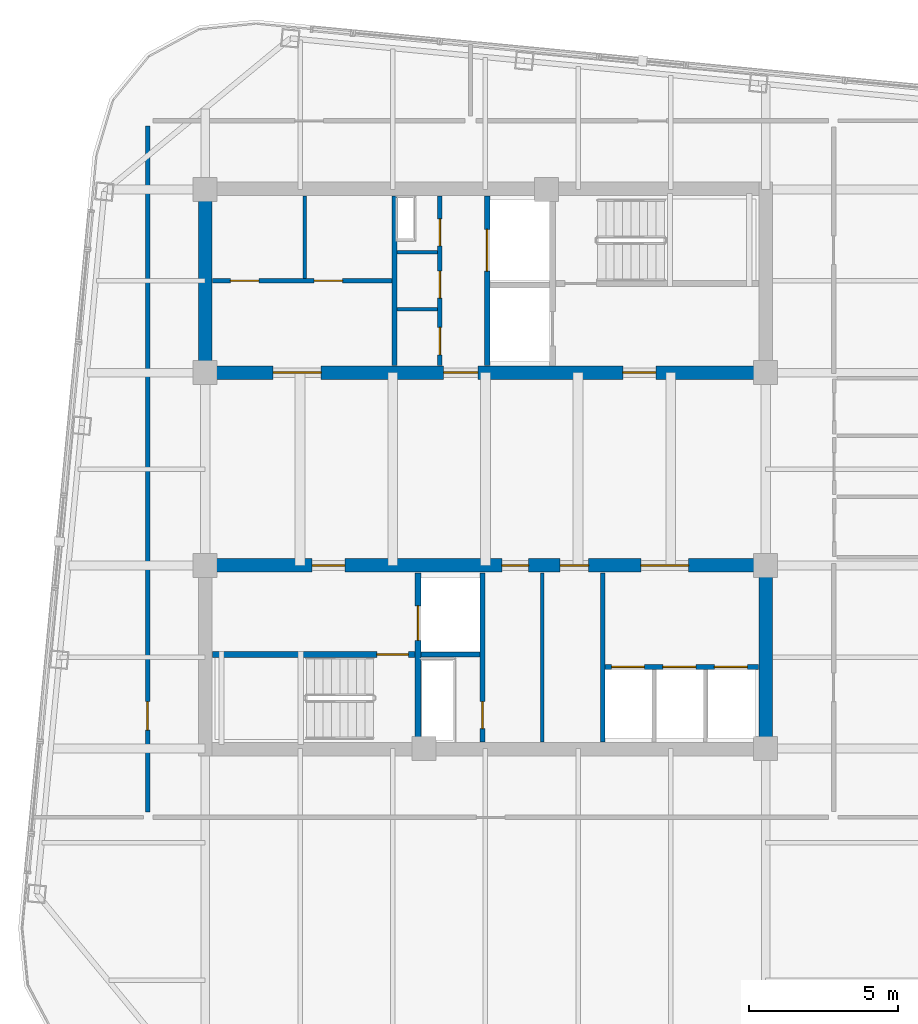
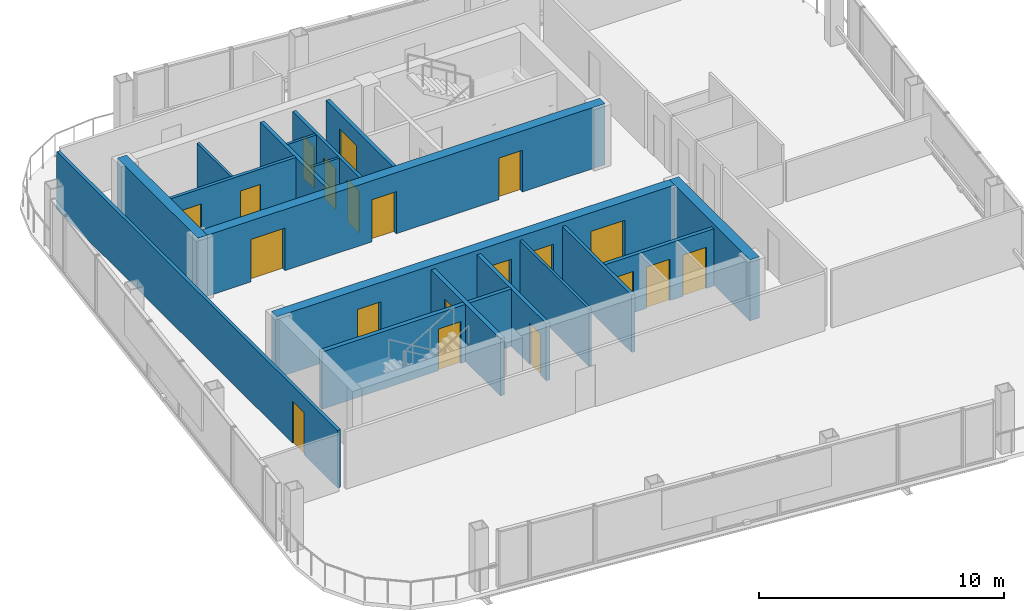
# One storey, part 21 of 26: 20 doors, 19 walls, 20 openings.
"""IFC4 building model written with IfcOpenShell, lengths in metres."""

from ifc_helpers import new_model, si_unit, direction, frame, frame_2d, origin, place, context, subcontext, project, spatial, rectangle, extrude, material, layer, layer_set, type_object, element, fill, save


model = new_model("IFC4")

# Units and contexts
model_context = context("Model", 3, precision=1e-05, world=origin(), true_north=direction((0.0, 1.0)))
body_context = subcontext(model_context, "Body", "Model", "MODEL_VIEW")
ifc_project = project(units=[si_unit("LENGTHUNIT", "METRE"), si_unit("AREAUNIT", "SQUARE_METRE"), si_unit("VOLUMEUNIT", "CUBIC_METRE"), si_unit("PLANEANGLEUNIT", "RADIAN"), si_unit("MASSUNIT", "GRAM", prefix="KILO")], contexts=[model_context])

# Site, building, storey
site_placement = place(None, origin())
site = spatial("IfcSite", under=ifc_project, at=site_placement, CompositionType="ELEMENT")
building_placement = place(site_placement, origin())
building = spatial("IfcBuilding", under=site, at=building_placement, Name="Qhalaya Broadcast Tower", CompositionType="ELEMENT")
storey_placement = place(building_placement, frame((0.0, 0.0, 248.949951171875)))
storey = spatial("IfcBuildingStorey", under=building, at=storey_placement, Name="L73", CompositionType="ELEMENT", Elevation=248.949951171875)

# Wall, openings, doors
ifc_material_1 = material(Name="Gypsum Acoustic Partition")
ifc_layer_1 = layer(ifc_material_1, 0.14990234375, Name="Gypsum Acoustic Partition")
ifc_layer_set_1 = layer_set([ifc_layer_1], Name="Gypsum Acoustic Partition")
wall_type_1 = type_object("IfcWallType", Name="Corridor & Tenancy Acoustic Partition 150", PredefinedType="PARTITIONING", material=ifc_layer_set_1)
wall_1_placement = place(storey_placement, frame((-1.52001953125, 4.070068359375, 0.0), z_axis=(0.0, 0.0, 1.0), x_axis=(0.0, 1.0, 0.0)))
wall_1 = element("IfcWall", 1, at=wall_1_placement, inside=storey, type_object=wall_type_1, Name="L73 Partition Wall NCW-SVL", PredefinedType="PARTITIONING", context=body_context, shape_type="SweptSolid", body=[
    extrude(rectangle(XDim=5.659912109375, YDim=0.14990234375, at=frame_2d((2.830078125, 0.0))), origin(), (0.0, 0.0, 1.0), 2.860107421875),
])
opening_1_placement = place(wall_1_placement, frame((4.0, 0.0, 0.0)))
opening_1 = element("IfcOpeningElement", 2, at=opening_1_placement, cuts=wall_1, Name="Opening D06", PredefinedType="OPENING", context=body_context, shape_type="SweptSolid", body=[
    extrude(rectangle(XDim=0.89990234375, YDim=2.050048828125, at=frame_2d((0.449951171875, 1.02490234375))), frame((0.0, 0.0869140625, 0.0), z_axis=(0.0, -1.0, 0.0), x_axis=(1.0, 0.0, 0.0)), (0.0, 0.0, 1.0), 0.173828125),
])
opening_2_placement = place(wall_1_placement, frame((2.25, 0.0, 0.0)))
opening_2 = element("IfcOpeningElement", 3, at=opening_2_placement, cuts=wall_1, Name="Opening D06", PredefinedType="OPENING", context=body_context, shape_type="SweptSolid", body=[
    extrude(rectangle(XDim=0.89990234375, YDim=2.050048828125, at=frame_2d((0.449951171875, 1.02490234375))), frame((0.0, 0.0869140625, 0.0), z_axis=(0.0, -1.0, 0.0), x_axis=(1.0, 0.0, 0.0)), (0.0, 0.0, 1.0), 0.173828125),
])
opening_3_placement = place(wall_1_placement, frame((0.35009765625, 0.0, 0.0)))
opening_3 = element("IfcOpeningElement", 4, at=opening_3_placement, cuts=wall_1, Name="Opening D12", PredefinedType="OPENING", context=body_context, shape_type="SweptSolid", body=[
    extrude(rectangle(XDim=0.919921875, YDim=2.10009765625, at=frame_2d((0.4599609375, 1.050048828125))), frame((0.0, 0.0869140625, 0.0), z_axis=(0.0, -1.0, 0.0), x_axis=(1.0, 0.0, 0.0)), (0.0, 0.0, 1.0), 0.173828125),
])
ifc_material_2 = material(Name="Timber Veneer Acoustic Door", Category="wood")
door_type_1 = type_object("IfcDoorType", Name="Accessible WC & Restroom Door D12", OperationType="NOTDEFINED", PredefinedType="DOOR", material=ifc_material_2)
door_1_placement = place(opening_3_placement, origin())
door_1 = element("IfcDoor", 5, at=door_1_placement, inside=storey, type_object=door_type_1, Name="L73 Door D-NCWC", OperationType="SINGLE_SWING_RIGHT", OverallHeight=2.10009765625, OverallWidth=0.919921875, PredefinedType="DOOR", context=body_context, shape_type="SweptSolid", body=[
    extrude(rectangle(XDim=0.919921875, YDim=2.10009765625, at=frame_2d((0.4599609375, 1.050048828125))), frame((0.0, 0.02490234375, 0.0), z_axis=(0.0, -1.0, 0.0), x_axis=(1.0, 0.0, 0.0)), (0.0, 0.0, 1.0), 0.050048828125),
])
fill(opening_3, door_1)
ifc_material_3 = material(Name="Fire-Rated Steel Door", Category="steel")
door_type_2 = type_object("IfcDoorType", Name="Riser & Electrical Shaft Access Door D06", OperationType="NOTDEFINED", PredefinedType="DOOR", material=ifc_material_3)
door_2_placement = place(opening_1_placement, origin())
door_2 = element("IfcDoor", 6, at=door_2_placement, inside=storey, type_object=door_type_2, Name="L73 Riser Shaft Access Door D-NRSR", OperationType="SINGLE_SWING_RIGHT", OverallHeight=2.050048828125, OverallWidth=0.89990234375, PredefinedType="DOOR", context=body_context, shape_type="SweptSolid", body=[
    extrude(rectangle(XDim=0.89990234375, YDim=2.050048828125, at=frame_2d((0.449951171875, 1.02490234375))), frame((0.0, 0.02490234375, 0.0), z_axis=(0.0, -1.0, 0.0), x_axis=(1.0, 0.0, 0.0)), (0.0, 0.0, 1.0), 0.050048828125),
])
fill(opening_1, door_2)
door_3_placement = place(opening_2_placement, origin())
door_3 = element("IfcDoor", 7, at=door_3_placement, inside=storey, type_object=door_type_2, Name="L73 Door D-NITR", OperationType="SINGLE_SWING_LEFT", OverallHeight=2.050048828125, OverallWidth=0.89990234375, PredefinedType="DOOR", context=body_context, shape_type="SweptSolid", body=[
    extrude(rectangle(XDim=0.89990234375, YDim=2.050048828125, at=frame_2d((0.449951171875, 1.02490234375))), frame((0.0, 0.02490234375, 0.0), z_axis=(0.0, -1.0, 0.0), x_axis=(1.0, 0.0, 0.0)), (0.0, 0.0, 1.0), 0.050048828125),
])
fill(opening_2, door_3)

wall_2_placement = place(storey_placement, frame((-9.1298828125, 6.89990234375, 0.0), z_axis=(0.0, 0.0, 1.0), x_axis=(1.0, 0.0, 0.0)))
wall_2 = element("IfcWall", 8, at=wall_2_placement, inside=storey, type_object=wall_type_1, Name="L73 Partition Wall NCW-REC1", PredefinedType="PARTITIONING", context=body_context, shape_type="SweptSolid", body=[
    extrude(rectangle(XDim=6.009765625, YDim=0.14990234375, at=frame_2d((3.0048828125, 0.0))), origin(), (0.0, 0.0, 1.0), 2.860107421875),
])
opening_4_placement = place(wall_2_placement, frame((0.60009765625, 0.0, 0.0)))
opening_4 = element("IfcOpeningElement", 9, at=opening_4_placement, cuts=wall_2, Name="Opening D10", PredefinedType="OPENING", context=body_context, shape_type="SweptSolid", body=[
    extrude(rectangle(XDim=0.949951171875, YDim=2.10009765625, at=frame_2d((0.47509765625, 1.050048828125))), frame((0.0, 0.0869140625, 0.0), z_axis=(0.0, -1.0, 0.0), x_axis=(1.0, 0.0, 0.0)), (0.0, 0.0, 1.0), 0.173828125),
])
opening_5_placement = place(wall_2_placement, frame((3.39990234375, 0.0, 0.0)))
opening_5 = element("IfcOpeningElement", 10, at=opening_5_placement, cuts=wall_2, Name="Opening D10", PredefinedType="OPENING", context=body_context, shape_type="SweptSolid", body=[
    extrude(rectangle(XDim=0.949951171875, YDim=2.10009765625, at=frame_2d((0.47509765625, 1.050048828125))), frame((0.0, 0.0869140625, 0.0), z_axis=(0.0, -1.0, 0.0), x_axis=(1.0, 0.0, 0.0)), (0.0, 0.0, 1.0), 0.173828125),
])
door_type_3 = type_object("IfcDoorType", Name="Cellular Office & Edit Booth Door D10", OperationType="NOTDEFINED", PredefinedType="DOOR", material=ifc_material_2)
door_4_placement = place(opening_4_placement, origin())
door_4 = element("IfcDoor", 11, at=door_4_placement, inside=storey, type_object=door_type_3, Name="L73 Door D-NREC1", OperationType="SINGLE_SWING_LEFT", OverallHeight=2.10009765625, OverallWidth=0.949951171875, PredefinedType="DOOR", context=body_context, shape_type="SweptSolid", body=[
    extrude(rectangle(XDim=0.949951171875, YDim=2.10009765625, at=frame_2d((0.47509765625, 1.050048828125))), frame((0.0, 0.02490234375, 0.0), z_axis=(0.0, -1.0, 0.0), x_axis=(1.0, 0.0, 0.0)), (0.0, 0.0, 1.0), 0.050048828125),
])
fill(opening_4, door_4)
door_5_placement = place(opening_5_placement, origin())
door_5 = element("IfcDoor", 12, at=door_5_placement, inside=storey, type_object=door_type_3, Name="L73 Door D-NREC2", OperationType="SINGLE_SWING_RIGHT", OverallHeight=2.10009765625, OverallWidth=0.949951171875, PredefinedType="DOOR", context=body_context, shape_type="SweptSolid", body=[
    extrude(rectangle(XDim=0.949951171875, YDim=2.10009765625, at=frame_2d((0.47509765625, 1.050048828125))), frame((0.0, 0.02490234375, 0.0), z_axis=(0.0, -1.0, 0.0), x_axis=(1.0, 0.0, 0.0)), (0.0, 0.0, 1.0), 0.050048828125),
])
fill(opening_5, door_5)

# Wall
wall_3_placement = place(storey_placement, frame((3.919921875, -8.530029296875, 0.0), z_axis=(0.0, 0.0, 1.0), x_axis=(0.0, 1.0, 0.0)))
element("IfcWall", 13, at=wall_3_placement, inside=storey, type_object=wall_type_1, Name="L73 Partition Wall SCW-HSEP", PredefinedType="PARTITIONING", context=body_context, shape_type="SweptSolid", body=[
    extrude(rectangle(XDim=5.659912109375, YDim=0.14990234375, at=frame_2d((2.830078125, 0.0))), origin(), (0.0, 0.0, 1.0), 2.860107421875),
])

# Wall, opening, door
wall_4_placement = place(storey_placement, frame((-11.300048828125, 12.070068359375, 0.0), z_axis=(0.0, 0.0, 1.0), x_axis=(0.0, -1.0, 0.0)))
wall_4 = element("IfcWall", 14, at=wall_4_placement, inside=storey, type_object=wall_type_1, Name="L73 Partition Wall W-COR-04", PredefinedType="PARTITIONING", context=body_context, shape_type="SweptSolid", body=[
    extrude(rectangle(XDim=22.940185546875, YDim=0.14990234375, at=frame_2d((11.47021484375, 0.0))), origin(), (0.0, 0.0, 1.0), 2.860107421875),
])
opening_6_placement = place(wall_4_placement, frame((19.2529296875, 0.0, 0.0)))
opening_6 = element("IfcOpeningElement", 15, at=opening_6_placement, cuts=wall_4, Name="Opening D10", PredefinedType="OPENING", context=body_context, shape_type="SweptSolid", body=[
    extrude(rectangle(XDim=0.949951171875, YDim=2.10009765625, at=frame_2d((0.47509765625, 1.050048828125))), frame((0.0, 0.0869140625, 0.0), z_axis=(0.0, -1.0, 0.0), x_axis=(1.0, 0.0, 0.0)), (0.0, 0.0, 1.0), 0.173828125),
])
door_6_placement = place(opening_6_placement, origin())
door_6 = element("IfcDoor", 16, at=door_6_placement, inside=storey, type_object=door_type_3, Name="L73 Door D-RM04", OperationType="SINGLE_SWING_RIGHT", OverallHeight=2.10009765625, OverallWidth=0.949951171875, PredefinedType="DOOR", context=body_context, shape_type="SweptSolid", body=[
    extrude(rectangle(XDim=0.949951171875, YDim=2.10009765625, at=frame_2d((0.47509765625, 1.050048828125))), frame((0.0, 0.02490234375, 0.0), z_axis=(0.0, -1.0, 0.0), x_axis=(1.0, 0.0, 0.0)), (0.0, 0.0, 1.0), 0.050048828125),
])
fill(opening_6, door_6)

ifc_material_4 = material(Name="Concrete C50/60", Category="concrete")
ifc_layer_2 = layer(ifc_material_4, 0.199951171875, Name="Concrete C50/60")
ifc_layer_set_2 = layer_set([ifc_layer_2], Name="Concrete C50/60")
wall_type_2 = type_object("IfcWallType", Name="Load-Bearing Stair Shaft Wall 200", PredefinedType="SHEAR", material=ifc_layer_set_2)
wall_5_placement = place(storey_placement, frame((-9.1298828125, -5.60498046875, 0.0), z_axis=(0.0, 0.0, 1.0), x_axis=(1.0, 0.0, 0.0)))
wall_5 = element("IfcWall", 17, at=wall_5_placement, inside=storey, type_object=wall_type_2, Name="L73 Stair Core Shear Wall SCW-ST2", PredefinedType="SHEAR", context=body_context, shape_type="SweptSolid", body=[
    extrude(rectangle(XDim=6.769775390625, YDim=0.199951171875, at=frame_2d((3.384765625, 0.0))), origin(), (0.0, 0.0, 1.0), 2.860107421875),
])
opening_7_placement = place(wall_5_placement, frame((5.5, 0.0, 0.0)))
opening_7 = element("IfcOpeningElement", 18, at=opening_7_placement, cuts=wall_5, Name="Opening D03", PredefinedType="OPENING", context=body_context, shape_type="SweptSolid", body=[
    extrude(rectangle(XDim=1.050048828125, YDim=2.080078125, at=frame_2d((0.52490234375, 1.0400390625))), frame((0.0, 0.112060546875, 0.0), z_axis=(0.0, -1.0, 0.0), x_axis=(1.0, 0.0, 0.0)), (0.0, 0.0, 1.0), 0.223876953125),
])
door_type_4 = type_object("IfcDoorType", Name="Core Stair Protected Fire Door D03", OperationType="NOTDEFINED", PredefinedType="DOOR", material=ifc_material_3)
door_7_placement = place(opening_7_placement, origin())
door_7 = element("IfcDoor", 19, at=door_7_placement, inside=storey, type_object=door_type_4, Name="L73 Door D-SST2", OperationType="SINGLE_SWING_RIGHT", OverallHeight=2.080078125, OverallWidth=1.050048828125, PredefinedType="DOOR", context=body_context, shape_type="SweptSolid", body=[
    extrude(rectangle(XDim=1.050048828125, YDim=2.080078125, at=frame_2d((0.52490234375, 1.0400390625))), frame((0.0, 0.02490234375, 0.0), z_axis=(0.0, -1.0, 0.0), x_axis=(1.0, 0.0, 0.0)), (0.0, 0.0, 1.0), 0.050048828125),
])
fill(opening_7, door_7)

wall_6_placement = place(storey_placement, frame((-2.25, -8.530029296875, 0.0), z_axis=(0.0, 0.0, 1.0), x_axis=(0.0, 1.0, 0.0)))
wall_6 = element("IfcWall", 20, at=wall_6_placement, inside=storey, type_object=wall_type_2, Name="L73 Stair Core Shear Wall SCW-FF", PredefinedType="SHEAR", context=body_context, shape_type="SweptSolid", body=[
    extrude(rectangle(XDim=5.659912109375, YDim=0.199951171875, at=frame_2d((2.830078125, 0.0))), origin(), (0.0, 0.0, 1.0), 2.860107421875),
])
opening_8_placement = place(wall_6_placement, frame((3.39990234375, 0.0, 0.0)))
opening_8 = element("IfcOpeningElement", 21, at=opening_8_placement, cuts=wall_6, Name="Opening LD2", PredefinedType="OPENING", context=body_context, shape_type="SweptSolid", body=[
    extrude(rectangle(XDim=1.14990234375, YDim=2.080078125, at=frame_2d((0.574951171875, 1.0400390625))), frame((0.0, 0.112060546875, 0.0), z_axis=(0.0, -1.0, 0.0), x_axis=(1.0, 0.0, 0.0)), (0.0, 0.0, 1.0), 0.223876953125),
])
ifc_material_5 = material(Name="Brushed Stainless Steel Lift Door", Category="steel")
door_type_5 = type_object("IfcDoorType", Name="Firefighting Lift Sliding Landing Door LD2", OperationType="DOUBLE_DOOR_SLIDING", PredefinedType="DOOR", material=ifc_material_5)
door_8_placement = place(opening_8_placement, origin())
door_8 = element("IfcDoor", 22, at=door_8_placement, inside=storey, type_object=door_type_5, Name="L73 Door LD-FF2", OperationType="DOUBLE_DOOR_SLIDING", OverallHeight=2.080078125, OverallWidth=1.14990234375, PredefinedType="DOOR", context=body_context, shape_type="SweptSolid", body=[
    extrude(rectangle(XDim=1.14990234375, YDim=2.080078125, at=frame_2d((0.574951171875, 1.0400390625))), frame((0.0, 0.02490234375, 0.0), z_axis=(0.0, -1.0, 0.0), x_axis=(1.0, 0.0, 0.0)), (0.0, 0.0, 1.0), 0.050048828125),
])
fill(opening_8, door_8)

# Walls
ifc_layer_3 = layer(ifc_material_1, 0.1201171875, Name="Gypsum Acoustic Partition")
ifc_layer_set_3 = layer_set([ifc_layer_3], Name="Gypsum Acoustic Partition")
wall_type_3 = type_object("IfcWallType", Name="Office, Booth & Sanitary Partition 120", PredefinedType="PARTITIONING", material=ifc_layer_set_3)
for number, where, z_axis, x_axis, name in (
    (23, (-2.9599609375, 5.949951171875, 0.0), (0.0, 0.0, 1.0), (1.0, 0.0, 0.0), "L73 Partition Wall NCW-VB1"),
    (24, (-2.9599609375, 7.85009765625, 0.0), (0.0, 0.0, 1.0), (1.0, 0.0, 0.0), "L73 Partition Wall NCW-VB2"),
):
    element("IfcWall", number, at=place(storey_placement, frame(where, z_axis=z_axis, x_axis=x_axis)), inside=storey, type_object=wall_type_3, Name=name, PredefinedType="PARTITIONING", context=body_context, shape_type="SweptSolid", body=[
        extrude(rectangle(XDim=1.35986328125, YDim=0.1201171875, at=frame_2d((0.679931640625, 0.0))), origin(), (0.0, 0.0, 1.0), 2.860107421875),
    ])
wall_7_placement = place(storey_placement, frame((-6.050048828125, 6.97998046875, 0.0), z_axis=(0.0, 0.0, 1.0), x_axis=(0.0, 1.0, 0.0)))
element("IfcWall", 25, at=wall_7_placement, inside=storey, type_object=wall_type_3, Name="L73 Partition Wall NCW-REC2", PredefinedType="PARTITIONING", context=body_context, shape_type="SweptSolid", body=[
    extrude(rectangle(XDim=2.75, YDim=0.1201171875, at=frame_2d((1.375, 0.0))), origin(), (0.0, 0.0, 1.0), 2.860107421875),
])
wall_8_placement = place(storey_placement, frame((1.89990234375, -8.530029296875, 0.0), z_axis=(0.0, 0.0, 1.0), x_axis=(0.0, 1.0, 0.0)))
element("IfcWall", 26, at=wall_8_placement, inside=storey, type_object=wall_type_3, Name="L73 Partition Wall SCW-RKB", PredefinedType="PARTITIONING", context=body_context, shape_type="SweptSolid", body=[
    extrude(rectangle(XDim=5.659912109375, YDim=0.1201171875, at=frame_2d((2.830078125, 0.0))), origin(), (0.0, 0.0, 1.0), 2.860107421875),
])

# Wall, opening, door
ifc_layer_4 = layer(ifc_material_1, 0.175048828125, Name="Gypsum Acoustic Partition")
ifc_layer_set_4 = layer_set([ifc_layer_4], Name="Gypsum Acoustic Partition")
wall_type_4 = type_object("IfcWallType", Name="Shaft & Riser Fire Partition 175", PredefinedType="PARTITIONING", material=ifc_layer_set_4)
wall_9_placement = place(storey_placement, frame((0.06005859375, 4.070068359375, 0.0), z_axis=(0.0, 0.0, 1.0), x_axis=(0.0, 1.0, 0.0)))
wall_9 = element("IfcWall", 27, at=wall_9_placement, inside=storey, type_object=wall_type_4, Name="L73 Partition Wall NCW-SVW", PredefinedType="PARTITIONING", context=body_context, shape_type="SweptSolid", body=[
    extrude(rectangle(XDim=5.659912109375, YDim=0.175048828125, at=frame_2d((2.830078125, 0.0))), origin(), (0.0, 0.0, 1.0), 2.860107421875),
])
opening_9_placement = place(wall_9_placement, frame((3.14990234375, 0.0, 0.0)))
opening_9 = element("IfcOpeningElement", 28, at=opening_9_placement, cuts=wall_9, Name="Opening LD3", PredefinedType="OPENING", context=body_context, shape_type="SweptSolid", body=[
    extrude(rectangle(XDim=1.39990234375, YDim=2.1201171875, at=frame_2d((0.699951171875, 1.06005859375))), frame((0.0, 0.099609375, 0.0), z_axis=(0.0, -1.0, 0.0), x_axis=(1.0, 0.0, 0.0)), (0.0, 0.0, 1.0), 0.198974609375),
])
door_type_6 = type_object("IfcDoorType", Name="Service Lift Wide Sliding Landing Door LD3", OperationType="DOUBLE_DOOR_SLIDING", PredefinedType="DOOR", material=ifc_material_5)
door_9_placement = place(opening_9_placement, origin())
door_9 = element("IfcDoor", 29, at=door_9_placement, inside=storey, type_object=door_type_6, Name="L73 Door LD-SV1", OperationType="DOUBLE_DOOR_SLIDING", OverallHeight=2.1201171875, OverallWidth=1.39990234375, PredefinedType="DOOR", context=body_context, shape_type="SweptSolid", body=[
    extrude(rectangle(XDim=1.39990234375, YDim=2.1201171875, at=frame_2d((0.699951171875, 1.06005859375))), frame((0.0, 0.02490234375, 0.0), z_axis=(0.0, -1.0, 0.0), x_axis=(1.0, 0.0, 0.0)), (0.0, 0.0, 1.0), 0.050048828125),
])
fill(opening_9, door_9)

# Wall
wall_10_placement = place(storey_placement, frame((-3.0400390625, 4.070068359375, 0.0), z_axis=(0.0, 0.0, 1.0), x_axis=(0.0, 1.0, 0.0)))
element("IfcWall", 30, at=wall_10_placement, inside=storey, type_object=wall_type_4, Name="L73 Partition Wall NCW-VRW", PredefinedType="PARTITIONING", context=body_context, shape_type="SweptSolid", body=[
    extrude(rectangle(XDim=5.659912109375, YDim=0.175048828125, at=frame_2d((2.830078125, 0.0))), origin(), (0.0, 0.0, 1.0), 2.860107421875),
])

# Wall, opening, door
wall_11_placement = place(storey_placement, frame((-0.10009765625, -8.530029296875, 0.0), z_axis=(0.0, 0.0, 1.0), x_axis=(0.0, 1.0, 0.0)))
wall_11 = element("IfcWall", 31, at=wall_11_placement, inside=storey, type_object=wall_type_4, Name="L73 Partition Wall SCW-FFE", PredefinedType="PARTITIONING", context=body_context, shape_type="SweptSolid", body=[
    extrude(rectangle(XDim=5.659912109375, YDim=0.175048828125, at=frame_2d((2.830078125, 0.0))), origin(), (0.0, 0.0, 1.0), 2.860107421875),
])
opening_10_placement = place(wall_11_placement, frame((0.449951171875, 0.0, 0.0)))
opening_10 = element("IfcOpeningElement", 32, at=opening_10_placement, cuts=wall_11, Name="Opening D06", PredefinedType="OPENING", context=body_context, shape_type="SweptSolid", body=[
    extrude(rectangle(XDim=0.89990234375, YDim=2.050048828125, at=frame_2d((0.449951171875, 1.02490234375))), frame((0.0, 0.099609375, 0.0), z_axis=(0.0, -1.0, 0.0), x_axis=(1.0, 0.0, 0.0)), (0.0, 0.0, 1.0), 0.198974609375),
])
door_10_placement = place(opening_10_placement, origin())
door_10 = element("IfcDoor", 33, at=door_10_placement, inside=storey, type_object=door_type_2, Name="L73 Riser Shaft Access Door D-SRSR", OperationType="SINGLE_SWING_LEFT", OverallHeight=2.050048828125, OverallWidth=0.89990234375, PredefinedType="DOOR", context=body_context, shape_type="SweptSolid", body=[
    extrude(rectangle(XDim=0.89990234375, YDim=2.050048828125, at=frame_2d((0.449951171875, 1.02490234375))), frame((0.0, 0.02490234375, 0.0), z_axis=(0.0, -1.0, 0.0), x_axis=(1.0, 0.0, 0.0)), (0.0, 0.0, 1.0), 0.050048828125),
])
fill(opening_10, door_10)

# Wall
wall_12_placement = place(storey_placement, frame((-2.14990234375, -5.60009765625, 0.0), z_axis=(0.0, 0.0, 1.0), x_axis=(1.0, 0.0, 0.0)))
element("IfcWall", 34, at=wall_12_placement, inside=storey, type_object=wall_type_4, Name="L73 Partition Wall SCW-FFM", PredefinedType="PARTITIONING", context=body_context, shape_type="SweptSolid", body=[
    extrude(rectangle(XDim=1.969970703125, YDim=0.175048828125, at=frame_2d((0.98486328125, 0.0))), origin(), (0.0, 0.0, 1.0), 2.860107421875),
])

# Wall, openings, doors
wall_13_placement = place(storey_placement, frame((4.0, -6.02001953125, 0.0), z_axis=(0.0, 0.0, 1.0), x_axis=(1.0, 0.0, 0.0)))
wall_13 = element("IfcWall", 35, at=wall_13_placement, inside=storey, type_object=wall_type_4, Name="L73 Partition Wall SCW-SLB", PredefinedType="PARTITIONING", context=body_context, shape_type="SweptSolid", body=[
    extrude(rectangle(XDim=5.1298828125, YDim=0.175048828125, at=frame_2d((2.56494140625, 0.0))), origin(), (0.0, 0.0, 1.0), 2.860107421875),
])
opening_11_placement = place(wall_13_placement, frame((0.219970703125, 0.0, 0.0)))
opening_11 = element("IfcOpeningElement", 36, at=opening_11_placement, cuts=wall_13, Name="Opening LD1", PredefinedType="OPENING", context=body_context, shape_type="SweptSolid", body=[
    extrude(rectangle(XDim=1.10009765625, YDim=2.06005859375, at=frame_2d((0.550048828125, 1.030029296875))), frame((0.0, 0.099609375, 0.0), z_axis=(0.0, -1.0, 0.0), x_axis=(1.0, 0.0, 0.0)), (0.0, 0.0, 1.0), 0.198974609375),
])
opening_12_placement = place(wall_13_placement, frame((1.93994140625, 0.0, 0.0)))
opening_12 = element("IfcOpeningElement", 37, at=opening_12_placement, cuts=wall_13, Name="Opening LD1", PredefinedType="OPENING", context=body_context, shape_type="SweptSolid", body=[
    extrude(rectangle(XDim=1.10009765625, YDim=2.06005859375, at=frame_2d((0.550048828125, 1.030029296875))), frame((0.0, 0.099609375, 0.0), z_axis=(0.0, -1.0, 0.0), x_axis=(1.0, 0.0, 0.0)), (0.0, 0.0, 1.0), 0.198974609375),
])
opening_13_placement = place(wall_13_placement, frame((3.659912109375, 0.0, 0.0)))
opening_13 = element("IfcOpeningElement", 38, at=opening_13_placement, cuts=wall_13, Name="Opening LD1", PredefinedType="OPENING", context=body_context, shape_type="SweptSolid", body=[
    extrude(rectangle(XDim=1.10009765625, YDim=2.06005859375, at=frame_2d((0.550048828125, 1.030029296875))), frame((0.0, 0.099609375, 0.0), z_axis=(0.0, -1.0, 0.0), x_axis=(1.0, 0.0, 0.0)), (0.0, 0.0, 1.0), 0.198974609375),
])
door_type_7 = type_object("IfcDoorType", Name="Passenger Lift Sliding Landing Door LD1", OperationType="DOUBLE_DOOR_SLIDING", PredefinedType="DOOR", material=ifc_material_5)
door_11_placement = place(opening_11_placement, origin())
door_11 = element("IfcDoor", 39, at=door_11_placement, inside=storey, type_object=door_type_7, Name="L73 Door LD-P6", OperationType="DOUBLE_DOOR_SLIDING", OverallHeight=2.06005859375, OverallWidth=1.10009765625, PredefinedType="DOOR", context=body_context, shape_type="SweptSolid", body=[
    extrude(rectangle(XDim=1.10009765625, YDim=2.06005859375, at=frame_2d((0.550048828125, 1.030029296875))), frame((0.0, 0.02490234375, 0.0), z_axis=(0.0, -1.0, 0.0), x_axis=(1.0, 0.0, 0.0)), (0.0, 0.0, 1.0), 0.050048828125),
])
fill(opening_11, door_11)
door_12_placement = place(opening_12_placement, origin())
door_12 = element("IfcDoor", 40, at=door_12_placement, inside=storey, type_object=door_type_7, Name="L73 Door LD-P7", OperationType="DOUBLE_DOOR_SLIDING", OverallHeight=2.06005859375, OverallWidth=1.10009765625, PredefinedType="DOOR", context=body_context, shape_type="SweptSolid", body=[
    extrude(rectangle(XDim=1.10009765625, YDim=2.06005859375, at=frame_2d((0.550048828125, 1.030029296875))), frame((0.0, 0.02490234375, 0.0), z_axis=(0.0, -1.0, 0.0), x_axis=(1.0, 0.0, 0.0)), (0.0, 0.0, 1.0), 0.050048828125),
])
fill(opening_12, door_12)
door_13_placement = place(opening_13_placement, origin())
door_13 = element("IfcDoor", 41, at=door_13_placement, inside=storey, type_object=door_type_7, Name="L73 Door LD-P8", OperationType="DOUBLE_DOOR_SLIDING", OverallHeight=2.06005859375, OverallWidth=1.10009765625, PredefinedType="DOOR", context=body_context, shape_type="SweptSolid", body=[
    extrude(rectangle(XDim=1.10009765625, YDim=2.06005859375, at=frame_2d((0.550048828125, 1.030029296875))), frame((0.0, 0.02490234375, 0.0), z_axis=(0.0, -1.0, 0.0), x_axis=(1.0, 0.0, 0.0)), (0.0, 0.0, 1.0), 0.050048828125),
])
fill(opening_13, door_13)

ifc_layer_5 = layer(ifc_material_4, 0.449951171875, Name="Concrete C50/60")
ifc_layer_set_5 = layer_set([ifc_layer_5], Name="Concrete C50/60")
wall_type_5 = type_object("IfcWallType", Name="Upper Split-Core Shear Wall 450", PredefinedType="SHEAR", material=ifc_layer_set_5)
wall_14_placement = place(storey_placement, frame((-9.60009765625, 3.824951171875, 0.0), z_axis=(0.0, 0.0, 1.0), x_axis=(1.0, 0.0, 0.0)))
wall_14 = element("IfcWall", 42, at=wall_14_placement, inside=storey, type_object=wall_type_5, Name="L73 Split-Core Shear Wall CW-NS", PredefinedType="SHEAR", context=body_context, shape_type="SweptSolid", body=[
    extrude(rectangle(XDim=19.2001953125, YDim=0.449951171875, at=frame_2d((9.60009765625, 0.0))), origin(), (0.0, 0.0, 1.0), 3.050048828125),
])
opening_14_placement = place(wall_14_placement, frame((14.199951171875, 0.0, 0.0)))
opening_14 = element("IfcOpeningElement", 43, at=opening_14_placement, cuts=wall_14, Name="Opening D04", PredefinedType="OPENING", context=body_context, shape_type="SweptSolid", body=[
    extrude(rectangle(XDim=1.10009765625, YDim=2.080078125, at=frame_2d((0.550048828125, 1.0400390625))), frame((0.0, 0.237060546875, 0.0), z_axis=(0.0, -1.0, 0.0), x_axis=(1.0, 0.0, 0.0)), (0.0, 0.0, 1.0), 0.473876953125),
])
opening_15_placement = place(wall_14_placement, frame((8.199951171875, 0.0, 0.0)))
opening_15 = element("IfcOpeningElement", 44, at=opening_15_placement, cuts=wall_14, Name="Opening D05", PredefinedType="OPENING", context=body_context, shape_type="SweptSolid", body=[
    extrude(rectangle(XDim=1.14990234375, YDim=2.10009765625, at=frame_2d((0.574951171875, 1.050048828125))), frame((0.0, 0.237060546875, 0.0), z_axis=(0.0, -1.0, 0.0), x_axis=(1.0, 0.0, 0.0)), (0.0, 0.0, 1.0), 0.473876953125),
])
opening_16_placement = place(wall_14_placement, frame((2.5, 0.0, 0.0)))
opening_16 = element("IfcOpeningElement", 45, at=opening_16_placement, cuts=wall_14, Name="Opening D07", PredefinedType="OPENING", context=body_context, shape_type="SweptSolid", body=[
    extrude(rectangle(XDim=1.60009765625, YDim=2.1201171875, at=frame_2d((0.800048828125, 1.06005859375))), frame((0.0, 0.237060546875, 0.0), z_axis=(0.0, -1.0, 0.0), x_axis=(1.0, 0.0, 0.0)), (0.0, 0.0, 1.0), 0.473876953125),
])
door_type_8 = type_object("IfcDoorType", Name="Firefighting Lobby Rated Door D04", OperationType="NOTDEFINED", PredefinedType="DOOR", material=ifc_material_3)
door_14_placement = place(opening_14_placement, origin())
door_14 = element("IfcDoor", 46, at=door_14_placement, inside=storey, type_object=door_type_8, Name="L73 Door D-NFF", OperationType="SINGLE_SWING_RIGHT", OverallHeight=2.080078125, OverallWidth=1.10009765625, PredefinedType="DOOR", context=body_context, shape_type="SweptSolid", body=[
    extrude(rectangle(XDim=1.10009765625, YDim=2.080078125, at=frame_2d((0.550048828125, 1.0400390625))), frame((0.0, 0.02490234375, 0.0), z_axis=(0.0, -1.0, 0.0), x_axis=(1.0, 0.0, 0.0)), (0.0, 0.0, 1.0), 0.050048828125),
])
fill(opening_14, door_14)
ifc_material_6 = material(Name="Anodised Aluminium Glazed Door", Category="aluminium")
door_type_9 = type_object("IfcDoorType", Name="Passenger Lift Lobby Double Glazed Door D07", OperationType="DOUBLE_DOOR_SINGLE_SWING", PredefinedType="DOOR", material=ifc_material_6)
door_15_placement = place(opening_16_placement, origin())
door_15 = element("IfcDoor", 47, at=door_15_placement, inside=storey, type_object=door_type_9, Name="L73 Door D-NRECV", OperationType="DOUBLE_DOOR_SINGLE_SWING", OverallHeight=2.1201171875, OverallWidth=1.60009765625, PredefinedType="DOOR", context=body_context, shape_type="SweptSolid", body=[
    extrude(rectangle(XDim=1.60009765625, YDim=2.1201171875, at=frame_2d((0.800048828125, 1.06005859375))), frame((0.0, 0.02490234375, 0.0), z_axis=(0.0, -1.0, 0.0), x_axis=(1.0, 0.0, 0.0)), (0.0, 0.0, 1.0), 0.050048828125),
])
fill(opening_16, door_15)
door_type_10 = type_object("IfcDoorType", Name="Refuge & Plant Room Fire Door D05", OperationType="NOTDEFINED", PredefinedType="DOOR", material=ifc_material_3)
door_16_placement = place(opening_15_placement, origin())
door_16 = element("IfcDoor", 48, at=door_16_placement, inside=storey, type_object=door_type_10, Name="L73 Door D-NSVL", OperationType="SINGLE_SWING_LEFT", OverallHeight=2.10009765625, OverallWidth=1.14990234375, PredefinedType="DOOR", context=body_context, shape_type="SweptSolid", body=[
    extrude(rectangle(XDim=1.14990234375, YDim=2.10009765625, at=frame_2d((0.574951171875, 1.050048828125))), frame((0.0, 0.02490234375, 0.0), z_axis=(0.0, -1.0, 0.0), x_axis=(1.0, 0.0, 0.0)), (0.0, 0.0, 1.0), 0.050048828125),
])
fill(opening_15, door_16)

# Wall
wall_15_placement = place(storey_placement, frame((-9.375, 3.60009765625, 0.0), z_axis=(0.0, 0.0, 1.0), x_axis=(0.0, 1.0, 0.0)))
element("IfcWall", 49, at=wall_15_placement, inside=storey, type_object=wall_type_5, Name="L73 Split-Core Shear Wall CW-NW", PredefinedType="SHEAR", context=body_context, shape_type="SweptSolid", body=[
    extrude(rectangle(XDim=6.599853515625, YDim=0.449951171875, at=frame_2d((3.2998046875, 0.0))), origin(), (0.0, 0.0, 1.0), 3.050048828125),
])

# Wall, openings, doors
wall_16_placement = place(storey_placement, frame((-9.60009765625, -2.625, 0.0), z_axis=(0.0, 0.0, 1.0), x_axis=(1.0, 0.0, 0.0)))
wall_16 = element("IfcWall", 50, at=wall_16_placement, inside=storey, type_object=wall_type_5, Name="L73 Split-Core Shear Wall CW-SN", PredefinedType="SHEAR", context=body_context, shape_type="SweptSolid", body=[
    extrude(rectangle(XDim=19.2001953125, YDim=0.449951171875, at=frame_2d((9.60009765625, 0.0))), origin(), (0.0, 0.0, 1.0), 3.050048828125),
])
opening_17_placement = place(wall_16_placement, frame((3.800048828125, 0.0, 0.0)))
opening_17 = element("IfcOpeningElement", 51, at=opening_17_placement, cuts=wall_16, Name="Opening D04", PredefinedType="OPENING", context=body_context, shape_type="SweptSolid", body=[
    extrude(rectangle(XDim=1.10009765625, YDim=2.080078125, at=frame_2d((0.550048828125, 1.0400390625))), frame((0.0, 0.237060546875, 0.0), z_axis=(0.0, -1.0, 0.0), x_axis=(1.0, 0.0, 0.0)), (0.0, 0.0, 1.0), 0.473876953125),
])
opening_18_placement = place(wall_16_placement, frame((10.14990234375, 0.0, 0.0)))
opening_18 = element("IfcOpeningElement", 52, at=opening_18_placement, cuts=wall_16, Name="Opening D06", PredefinedType="OPENING", context=body_context, shape_type="SweptSolid", body=[
    extrude(rectangle(XDim=0.89990234375, YDim=2.050048828125, at=frame_2d((0.449951171875, 1.02490234375))), frame((0.0, 0.237060546875, 0.0), z_axis=(0.0, -1.0, 0.0), x_axis=(1.0, 0.0, 0.0)), (0.0, 0.0, 1.0), 0.473876953125),
])
opening_19_placement = place(wall_16_placement, frame((12.10009765625, 0.0, 0.0)))
opening_19 = element("IfcOpeningElement", 53, at=opening_19_placement, cuts=wall_16, Name="Opening D10", PredefinedType="OPENING", context=body_context, shape_type="SweptSolid", body=[
    extrude(rectangle(XDim=0.949951171875, YDim=2.10009765625, at=frame_2d((0.47509765625, 1.050048828125))), frame((0.0, 0.237060546875, 0.0), z_axis=(0.0, -1.0, 0.0), x_axis=(1.0, 0.0, 0.0)), (0.0, 0.0, 1.0), 0.473876953125),
])
opening_20_placement = place(wall_16_placement, frame((14.800048828125, 0.0, 0.0)))
opening_20 = element("IfcOpeningElement", 54, at=opening_20_placement, cuts=wall_16, Name="Opening D07", PredefinedType="OPENING", context=body_context, shape_type="SweptSolid", body=[
    extrude(rectangle(XDim=1.60009765625, YDim=2.1201171875, at=frame_2d((0.800048828125, 1.06005859375))), frame((0.0, 0.237060546875, 0.0), z_axis=(0.0, -1.0, 0.0), x_axis=(1.0, 0.0, 0.0)), (0.0, 0.0, 1.0), 0.473876953125),
])
door_17_placement = place(opening_19_placement, origin())
door_17 = element("IfcDoor", 55, at=door_17_placement, inside=storey, type_object=door_type_3, Name="L73 Door D-SREC2", OperationType="SINGLE_SWING_RIGHT", OverallHeight=2.10009765625, OverallWidth=0.949951171875, PredefinedType="DOOR", context=body_context, shape_type="SweptSolid", body=[
    extrude(rectangle(XDim=0.949951171875, YDim=2.10009765625, at=frame_2d((0.47509765625, 1.050048828125))), frame((0.0, 0.02490234375, 0.0), z_axis=(0.0, -1.0, 0.0), x_axis=(1.0, 0.0, 0.0)), (0.0, 0.0, 1.0), 0.050048828125),
])
fill(opening_19, door_17)
door_18_placement = place(opening_17_placement, origin())
door_18 = element("IfcDoor", 56, at=door_18_placement, inside=storey, type_object=door_type_8, Name="L73 Door D-SFF", OperationType="SINGLE_SWING_LEFT", OverallHeight=2.080078125, OverallWidth=1.10009765625, PredefinedType="DOOR", context=body_context, shape_type="SweptSolid", body=[
    extrude(rectangle(XDim=1.10009765625, YDim=2.080078125, at=frame_2d((0.550048828125, 1.0400390625))), frame((0.0, 0.02490234375, 0.0), z_axis=(0.0, -1.0, 0.0), x_axis=(1.0, 0.0, 0.0)), (0.0, 0.0, 1.0), 0.050048828125),
])
fill(opening_17, door_18)
door_19_placement = place(opening_20_placement, origin())
door_19 = element("IfcDoor", 57, at=door_19_placement, inside=storey, type_object=door_type_9, Name="L73 Door D-SPLL", OperationType="DOUBLE_DOOR_SINGLE_SWING", OverallHeight=2.1201171875, OverallWidth=1.60009765625, PredefinedType="DOOR", context=body_context, shape_type="SweptSolid", body=[
    extrude(rectangle(XDim=1.60009765625, YDim=2.1201171875, at=frame_2d((0.800048828125, 1.06005859375))), frame((0.0, 0.02490234375, 0.0), z_axis=(0.0, -1.0, 0.0), x_axis=(1.0, 0.0, 0.0)), (0.0, 0.0, 1.0), 0.050048828125),
])
fill(opening_20, door_19)
door_20_placement = place(opening_18_placement, origin())
door_20 = element("IfcDoor", 58, at=door_20_placement, inside=storey, type_object=door_type_2, Name="L73 Door D-SREC1", OperationType="SINGLE_SWING_LEFT", OverallHeight=2.050048828125, OverallWidth=0.89990234375, PredefinedType="DOOR", context=body_context, shape_type="SweptSolid", body=[
    extrude(rectangle(XDim=0.89990234375, YDim=2.050048828125, at=frame_2d((0.449951171875, 1.02490234375))), frame((0.0, 0.02490234375, 0.0), z_axis=(0.0, -1.0, 0.0), x_axis=(1.0, 0.0, 0.0)), (0.0, 0.0, 1.0), 0.050048828125),
])
fill(opening_18, door_20)

# Wall
wall_17_placement = place(storey_placement, frame((9.375, -9.0, 0.0), z_axis=(0.0, 0.0, 1.0), x_axis=(0.0, 1.0, 0.0)))
element("IfcWall", 59, at=wall_17_placement, inside=storey, type_object=wall_type_5, Name="L73 Split-Core Shear Wall CW-SE", PredefinedType="SHEAR", context=body_context, shape_type="SweptSolid", body=[
    extrude(rectangle(XDim=6.60009765625, YDim=0.449951171875, at=frame_2d((3.300048828125, 0.0))), origin(), (0.0, 0.0, 1.0), 3.050048828125),
])

save(model, "model.ifc")
